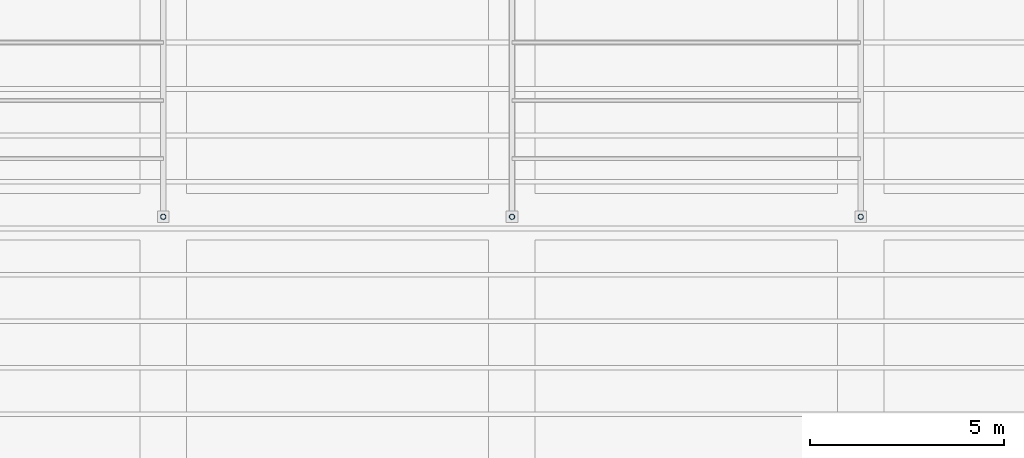
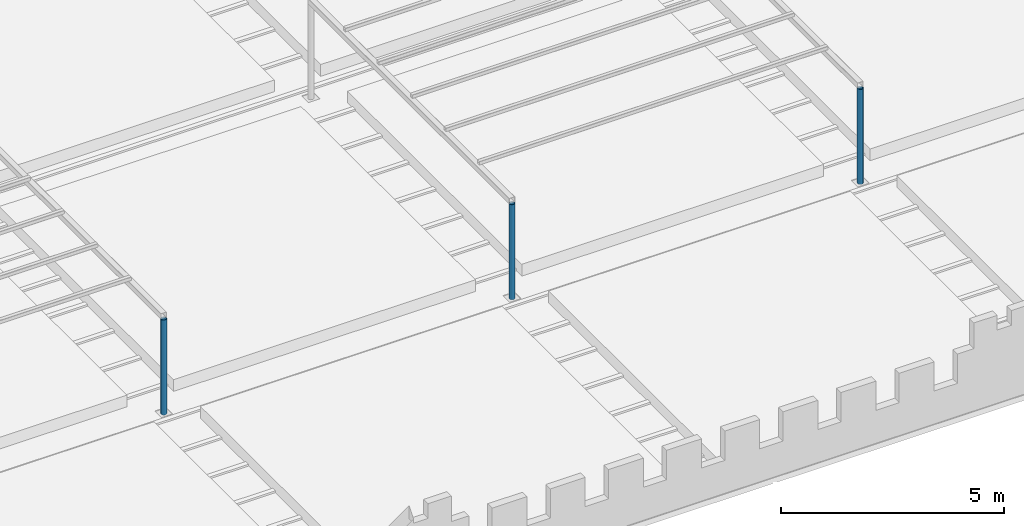
# One storey, part 4 of 153: 3 columns.
"""IFC4 building model written with IfcOpenShell, lengths in metres."""

from ifc_helpers import new_model, si_unit, direction, frame, origin, origin_2d, place, context, subcontext, project, spatial, hollow_circle, extrude, material, material_profile, profile_set, type_object, element, save


model = new_model("IFC4")

# Units and contexts
model_context = context("Model", 3, precision=1e-05, world=origin(), true_north=direction((0.0, 1.0)))
body_context = subcontext(model_context, "Body", "Model", "MODEL_VIEW")
ifc_project = project(units=[si_unit("LENGTHUNIT", "METRE"), si_unit("AREAUNIT", "SQUARE_METRE"), si_unit("VOLUMEUNIT", "CUBIC_METRE"), si_unit("PLANEANGLEUNIT", "RADIAN"), si_unit("MASSUNIT", "GRAM", prefix="KILO")], contexts=[model_context])

# Site, building, storey
site_placement = place(None, origin())
site = spatial("IfcSite", under=ifc_project, at=site_placement, CompositionType="ELEMENT")
building_placement = place(site_placement, origin())
building = spatial("IfcBuilding", under=site, at=building_placement, Name="Baradari Gate Terminus", CompositionType="ELEMENT")
storey_placement = place(building_placement, frame((0.0, 0.0, 11.699951171875)))
storey = spatial("IfcBuildingStorey", under=building, at=storey_placement, Name="L02", CompositionType="ELEMENT", Elevation=11.699951171875)

# Columns
ifc_material = material(Name="Steel S355", Category="steel")
ifc_material_profile = material_profile(ifc_material, hollow_circle(Radius=0.06982421875, WallThickness=0.008056640625, at=origin_2d()), Name="CHS 139.7x8")
ifc_profile_set = profile_set([ifc_material_profile], Name="Steel S355")
column_type = type_object("IfcColumnType", Name="Pergola post CHS 139.7x8", PredefinedType="COLUMN", material=ifc_profile_set)
for number, where, z_axis, x_axis, name in (
    (1, (108.0, 18.0, 0.0), (0.0, 0.0, 1.0), (1.0, 0.0, 0.0), "RF/L02/PGS1-PGC2"),
    (2, (117.0, 18.0, 0.0), (0.0, 0.0, 1.0), (1.0, 0.0, 0.0), "RF/L02/PGS2-PGC1"),
    (3, (126.0, 18.0, 0.0), (0.0, 0.0, 1.0), (1.0, 0.0, 0.0), "RF/L02/PGS2-PGC2"),
):
    element("IfcColumn", number, at=place(storey_placement, frame(where, z_axis=z_axis, x_axis=x_axis)), inside=storey, type_object=column_type, Name=name, PredefinedType="COLUMN", context=body_context, shape_type="SweptSolid", body=[
        extrude(hollow_circle(Radius=0.06982421875, WallThickness=0.008056640625, at=origin_2d()), origin(), (0.0, 0.0, 1.0), 2.60009765625),
    ])

save(model, "model.ifc")
